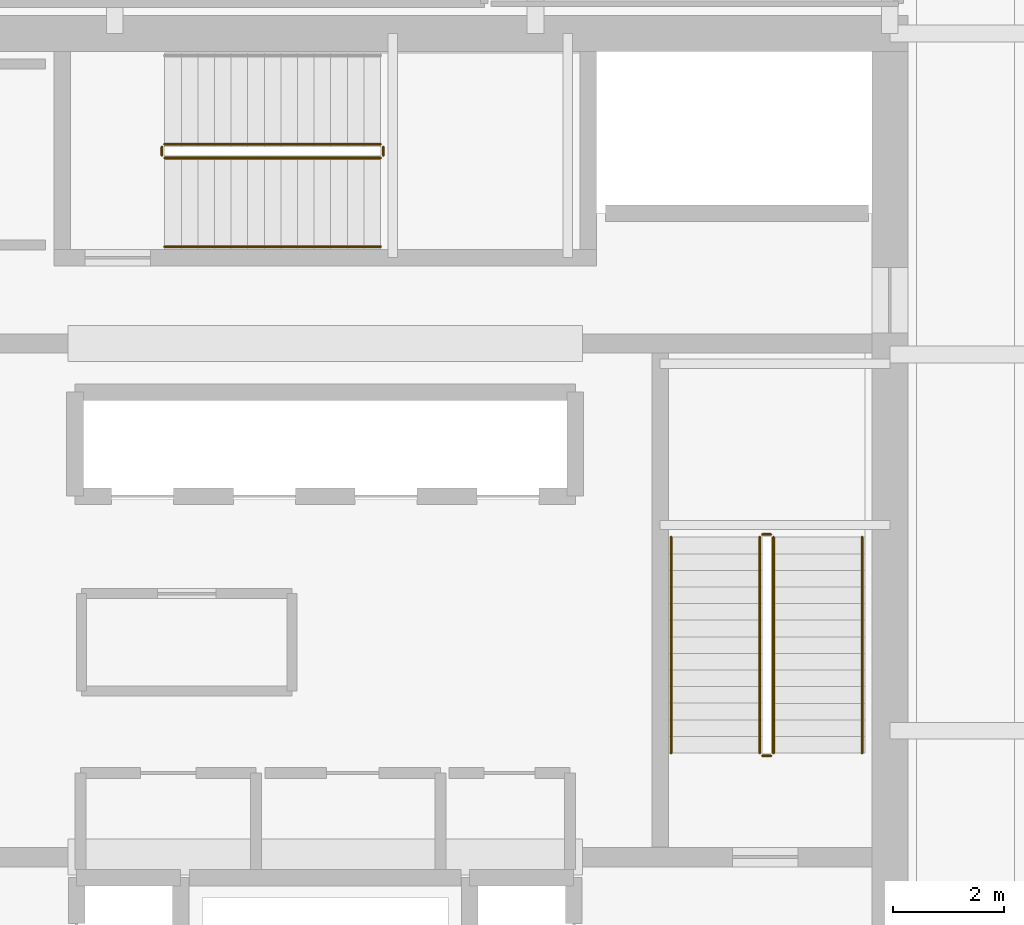
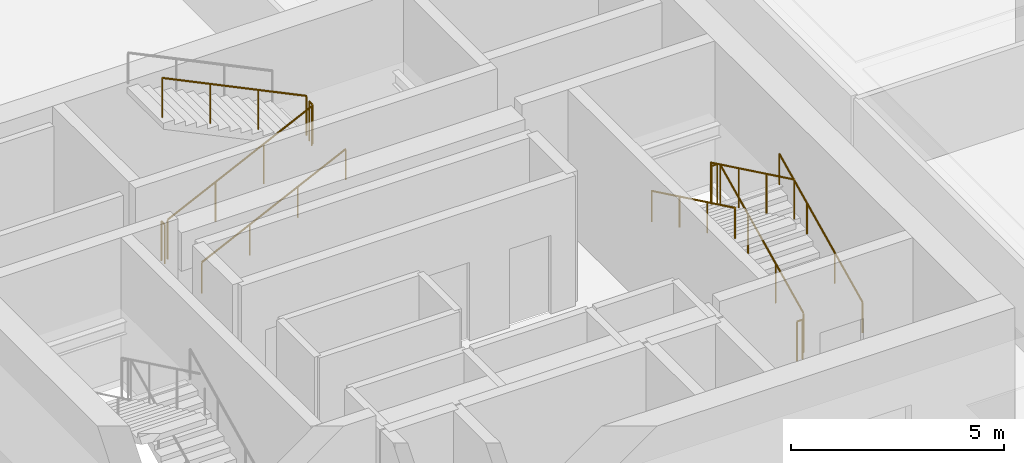
# One storey, part 34 of 35: 11 railings.
"""IFC4 building model written with IfcOpenShell, lengths in metres."""

from ifc_helpers import new_model, si_unit, direction, frame, origin, origin_2d, place, context, subcontext, project, spatial, circle, extrude, material, type_object, element, save


model = new_model("IFC4")

# Units and contexts
model_context = context("Model", 3, precision=1e-05, world=origin(), true_north=direction((0.0, 1.0)))
body_context = subcontext(model_context, "Body", "Model", "MODEL_VIEW")
ifc_project = project(units=[si_unit("LENGTHUNIT", "METRE"), si_unit("AREAUNIT", "SQUARE_METRE"), si_unit("VOLUMEUNIT", "CUBIC_METRE"), si_unit("PLANEANGLEUNIT", "RADIAN"), si_unit("MASSUNIT", "GRAM", prefix="KILO")], contexts=[model_context])

# Site, building, storey
site_placement = place(None, origin())
site = spatial("IfcSite", under=ifc_project, at=site_placement, CompositionType="ELEMENT")
building_placement = place(site_placement, origin())
building = spatial("IfcBuilding", under=site, at=building_placement, Name="Punatoya Terracotta Tower", CompositionType="ELEMENT")
storey_placement = place(building_placement, frame((0.0, 0.0, 232.949951171875)))
storey = spatial("IfcBuildingStorey", under=building, at=storey_placement, Name="L55", CompositionType="ELEMENT", Elevation=232.949951171875)

# Railings
ifc_material = material(Name="Steel S355", Category="steel")
railing_type_1 = type_object("IfcRailingType", Name="RLG-GRD-1150", PredefinedType="GUARDRAIL", material=ifc_material)
railing_1_placement = place(storey_placement, frame((8.10009765625, -3.800048828125, 0.144775390625)))
element("IfcRailing", 1, at=railing_1_placement, inside=storey, type_object=railing_type_1, Name="L55 ST-2 stair guard 1", PredefinedType="GUARDRAIL", context=body_context, shape_type="SweptSolid", body=[
    extrude(circle(Radius=0.02392578125, at=origin_2d()), frame((0.0, 0.0, 1.1259765625), z_axis=(0.0, 0.900773802044, 0.434288564841), x_axis=(-1.0, 0.0, 0.0)), (0.0, 0.0, 1.0), 4.329833984375),
    extrude(circle(Radius=0.02099609375, at=origin_2d()), origin(), (0.0, 0.0, 1.0), 1.101806640625),
    extrude(circle(Radius=0.02099609375, at=origin_2d()), frame((0.0, 1.300048828125, 0.626708984375)), (0.0, 0.0, 1.0), 1.101806640625),
    extrude(circle(Radius=0.02099609375, at=origin_2d()), frame((0.0, 2.60009765625, 1.253662109375)), (0.0, 0.0, 1.0), 1.101806640625),
    extrude(circle(Radius=0.02099609375, at=origin_2d()), frame((0.0, 3.900146484375, 1.88037109375)), (0.0, 0.0, 1.0), 1.101806640625),
])
railing_2_placement = place(storey_placement, frame((8.050048828125, 0.14990234375, 2.025146484375)))
element("IfcRailing", 2, at=railing_2_placement, inside=storey, type_object=railing_type_1, Name="L55 ST-2 stair guard 2", PredefinedType="GUARDRAIL", context=body_context, shape_type="SweptSolid", body=[
    extrude(circle(Radius=0.02392578125, at=origin_2d()), frame((0.0, 0.0, 1.1259765625), z_axis=(-1.0, 0.0, 0.0), x_axis=(0.0, -1.0, 0.0)), (0.0, 0.0, 1.0), 0.150146484375),
    extrude(circle(Radius=0.02099609375, at=origin_2d()), origin(), (0.0, 0.0, 1.0), 1.101806640625),
    extrude(circle(Radius=0.02099609375, at=origin_2d()), frame((-0.150146484375, 0.0, 0.0)), (0.0, 0.0, 1.0), 1.101806640625),
])
railing_3_placement = place(storey_placement, frame((7.85009765625, 0.10009765625, 2.169677734375)))
element("IfcRailing", 3, at=railing_3_placement, inside=storey, type_object=railing_type_1, Name="L55 ST-2 stair guard 3", PredefinedType="GUARDRAIL", context=body_context, shape_type="SweptSolid", body=[
    extrude(circle(Radius=0.02392578125, at=origin_2d()), frame((0.0, 0.0, 1.1259765625), z_axis=(0.0, -0.900773802044, 0.434288564841), x_axis=(1.0, 0.0, 0.0)), (0.0, 0.0, 1.0), 4.329833984375),
    extrude(circle(Radius=0.02099609375, at=origin_2d()), origin(), (0.0, 0.0, 1.0), 1.101806640625),
    extrude(circle(Radius=0.02099609375, at=origin_2d()), frame((0.0, -1.300048828125, 0.626708984375)), (0.0, 0.0, 1.0), 1.101806640625),
    extrude(circle(Radius=0.02099609375, at=origin_2d()), frame((0.0, -2.60009765625, 1.253662109375)), (0.0, 0.0, 1.0), 1.101806640625),
    extrude(circle(Radius=0.02099609375, at=origin_2d()), frame((0.0, -3.900146484375, 1.88037109375)), (0.0, 0.0, 1.0), 1.101806640625),
])
railing_4_placement = place(storey_placement, frame((8.050048828125, -3.85009765625, 0.0)))
element("IfcRailing", 4, at=railing_4_placement, inside=storey, type_object=railing_type_1, Name="L55 ST-2 stair guard 4", PredefinedType="GUARDRAIL", context=body_context, shape_type="SweptSolid", body=[
    extrude(circle(Radius=0.02392578125, at=origin_2d()), frame((0.0, 0.0, 1.1259765625), z_axis=(-1.0, 0.0, 0.0), x_axis=(0.0, -1.0, 0.0)), (0.0, 0.0, 1.0), 0.150146484375),
    extrude(circle(Radius=0.02099609375, at=origin_2d()), origin(), (0.0, 0.0, 1.0), 1.101806640625),
    extrude(circle(Radius=0.02099609375, at=origin_2d()), frame((-0.150146484375, 0.0, 0.0)), (0.0, 0.0, 1.0), 1.101806640625),
])
railing_5_placement = place(storey_placement, frame((-2.89990234375, 6.949951171875, 0.144775390625)))
element("IfcRailing", 5, at=railing_5_placement, inside=storey, type_object=railing_type_1, Name="L55 ST-3 stair guard 1", PredefinedType="GUARDRAIL", context=body_context, shape_type="SweptSolid", body=[
    extrude(circle(Radius=0.02392578125, at=origin_2d()), frame((0.0, 0.0, 1.1259765625), z_axis=(0.900763166376, 0.0, 0.434310623978), x_axis=(0.0, 1.0, 0.0)), (0.0, 0.0, 1.0), 4.32958984375),
    extrude(circle(Radius=0.02099609375, at=origin_2d()), origin(), (0.0, 0.0, 1.0), 1.101806640625),
    extrude(circle(Radius=0.02099609375, at=origin_2d()), frame((1.300048828125, 0.0, 0.626708984375)), (0.0, 0.0, 1.0), 1.101806640625),
    extrude(circle(Radius=0.02099609375, at=origin_2d()), frame((2.599853515625, 0.0, 1.253662109375)), (0.0, 0.0, 1.0), 1.101806640625),
    extrude(circle(Radius=0.02099609375, at=origin_2d()), frame((3.89990234375, 0.0, 1.88037109375)), (0.0, 0.0, 1.0), 1.101806640625),
])
railing_6_placement = place(storey_placement, frame((1.050048828125, 7.0, 2.025146484375)))
element("IfcRailing", 6, at=railing_6_placement, inside=storey, type_object=railing_type_1, Name="L55 ST-3 stair guard 2", PredefinedType="GUARDRAIL", context=body_context, shape_type="SweptSolid", body=[
    extrude(circle(Radius=0.02392578125, at=origin_2d()), frame((0.0, 0.0, 1.1259765625), z_axis=(0.0, 1.0, 0.0), x_axis=(-1.0, 0.0, 0.0)), (0.0, 0.0, 1.0), 0.14990234375),
    extrude(circle(Radius=0.02099609375, at=origin_2d()), origin(), (0.0, 0.0, 1.0), 1.101806640625),
    extrude(circle(Radius=0.02099609375, at=origin_2d()), frame((0.0, 0.14990234375, 0.0)), (0.0, 0.0, 1.0), 1.101806640625),
])
railing_7_placement = place(storey_placement, frame((1.0, 7.199951171875, 2.169677734375)))
element("IfcRailing", 7, at=railing_7_placement, inside=storey, type_object=railing_type_1, Name="L55 ST-3 stair guard 3", PredefinedType="GUARDRAIL", context=body_context, shape_type="SweptSolid", body=[
    extrude(circle(Radius=0.02392578125, at=origin_2d()), frame((0.0, 0.0, 1.1259765625), z_axis=(-0.900763166376, 0.0, 0.434310623978), x_axis=(0.0, -1.0, 0.0)), (0.0, 0.0, 1.0), 4.32958984375),
    extrude(circle(Radius=0.02099609375, at=origin_2d()), origin(), (0.0, 0.0, 1.0), 1.101806640625),
    extrude(circle(Radius=0.02099609375, at=origin_2d()), frame((-1.300048828125, 0.0, 0.626708984375)), (0.0, 0.0, 1.0), 1.101806640625),
    extrude(circle(Radius=0.02099609375, at=origin_2d()), frame((-2.599853515625, 0.0, 1.253662109375)), (0.0, 0.0, 1.0), 1.101806640625),
    extrude(circle(Radius=0.02099609375, at=origin_2d()), frame((-3.89990234375, 0.0, 1.88037109375)), (0.0, 0.0, 1.0), 1.101806640625),
])
railing_8_placement = place(storey_placement, frame((-2.949951171875, 7.0, 0.0)))
element("IfcRailing", 8, at=railing_8_placement, inside=storey, type_object=railing_type_1, Name="L55 ST-3 stair guard 4", PredefinedType="GUARDRAIL", context=body_context, shape_type="SweptSolid", body=[
    extrude(circle(Radius=0.02392578125, at=origin_2d()), frame((0.0, 0.0, 1.1259765625), z_axis=(0.0, 1.0, 0.0), x_axis=(-1.0, 0.0, 0.0)), (0.0, 0.0, 1.0), 0.14990234375),
    extrude(circle(Radius=0.02099609375, at=origin_2d()), origin(), (0.0, 0.0, 1.0), 1.101806640625),
    extrude(circle(Radius=0.02099609375, at=origin_2d()), frame((0.0, 0.14990234375, 0.0)), (0.0, 0.0, 1.0), 1.101806640625),
])
railing_type_2 = type_object("IfcRailingType", Name="RLG-HND-900", PredefinedType="HANDRAIL", material=ifc_material)
railing_9_placement = place(storey_placement, frame((9.699951171875, -3.800048828125, 0.144775390625)))
element("IfcRailing", 9, at=railing_9_placement, inside=storey, type_object=railing_type_2, Name="L55 ST-2 stair handrail 1", PredefinedType="HANDRAIL", context=body_context, shape_type="SweptSolid", body=[
    extrude(circle(Radius=0.02392578125, at=origin_2d()), frame((0.0, 0.0, 0.8759765625), z_axis=(0.0, 0.900773802044, 0.434288564841), x_axis=(-1.0, 0.0, 0.0)), (0.0, 0.0, 1.0), 4.329833984375),
    extrude(circle(Radius=0.02099609375, at=origin_2d()), origin(), (0.0, 0.0, 1.0), 0.851806640625),
    extrude(circle(Radius=0.02099609375, at=origin_2d()), frame((0.0, 1.300048828125, 0.626708984375)), (0.0, 0.0, 1.0), 0.851806640625),
    extrude(circle(Radius=0.02099609375, at=origin_2d()), frame((0.0, 2.60009765625, 1.253662109375)), (0.0, 0.0, 1.0), 0.851806640625),
    extrude(circle(Radius=0.02099609375, at=origin_2d()), frame((0.0, 3.900146484375, 1.88037109375)), (0.0, 0.0, 1.0), 0.851806640625),
])
railing_10_placement = place(storey_placement, frame((6.25, 0.10009765625, 2.169677734375)))
element("IfcRailing", 10, at=railing_10_placement, inside=storey, type_object=railing_type_2, Name="L55 ST-2 stair handrail 2", PredefinedType="HANDRAIL", context=body_context, shape_type="SweptSolid", body=[
    extrude(circle(Radius=0.02392578125, at=origin_2d()), frame((0.0, 0.0, 0.8759765625), z_axis=(0.0, -0.900773802044, 0.434288564841), x_axis=(1.0, 0.0, 0.0)), (0.0, 0.0, 1.0), 4.329833984375),
    extrude(circle(Radius=0.02099609375, at=origin_2d()), origin(), (0.0, 0.0, 1.0), 0.851806640625),
    extrude(circle(Radius=0.02099609375, at=origin_2d()), frame((0.0, -1.300048828125, 0.626708984375)), (0.0, 0.0, 1.0), 0.851806640625),
    extrude(circle(Radius=0.02099609375, at=origin_2d()), frame((0.0, -2.60009765625, 1.253662109375)), (0.0, 0.0, 1.0), 0.851806640625),
    extrude(circle(Radius=0.02099609375, at=origin_2d()), frame((0.0, -3.900146484375, 1.88037109375)), (0.0, 0.0, 1.0), 0.851806640625),
])
railing_11_placement = place(storey_placement, frame((-2.89990234375, 5.35009765625, 0.144775390625)))
element("IfcRailing", 11, at=railing_11_placement, inside=storey, type_object=railing_type_2, Name="L55 ST-3 stair handrail 1", PredefinedType="HANDRAIL", context=body_context, shape_type="SweptSolid", body=[
    extrude(circle(Radius=0.02392578125, at=origin_2d()), frame((0.0, 0.0, 0.8759765625), z_axis=(0.900763166376, 0.0, 0.434310623978), x_axis=(0.0, 1.0, 0.0)), (0.0, 0.0, 1.0), 4.32958984375),
    extrude(circle(Radius=0.02099609375, at=origin_2d()), origin(), (0.0, 0.0, 1.0), 0.851806640625),
    extrude(circle(Radius=0.02099609375, at=origin_2d()), frame((1.300048828125, 0.0, 0.626708984375)), (0.0, 0.0, 1.0), 0.851806640625),
    extrude(circle(Radius=0.02099609375, at=origin_2d()), frame((2.599853515625, 0.0, 1.253662109375)), (0.0, 0.0, 1.0), 0.851806640625),
    extrude(circle(Radius=0.02099609375, at=origin_2d()), frame((3.89990234375, 0.0, 1.88037109375)), (0.0, 0.0, 1.0), 0.851806640625),
])

save(model, "model.ifc")
